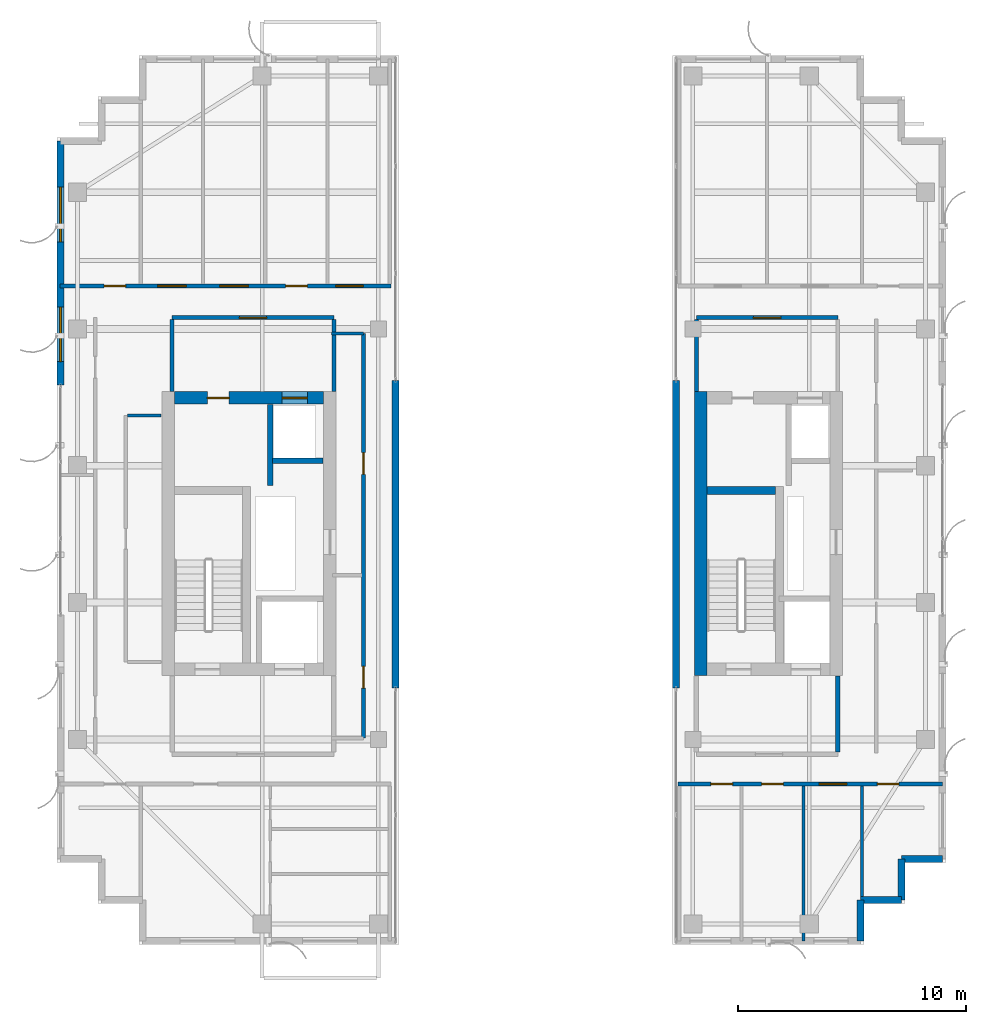
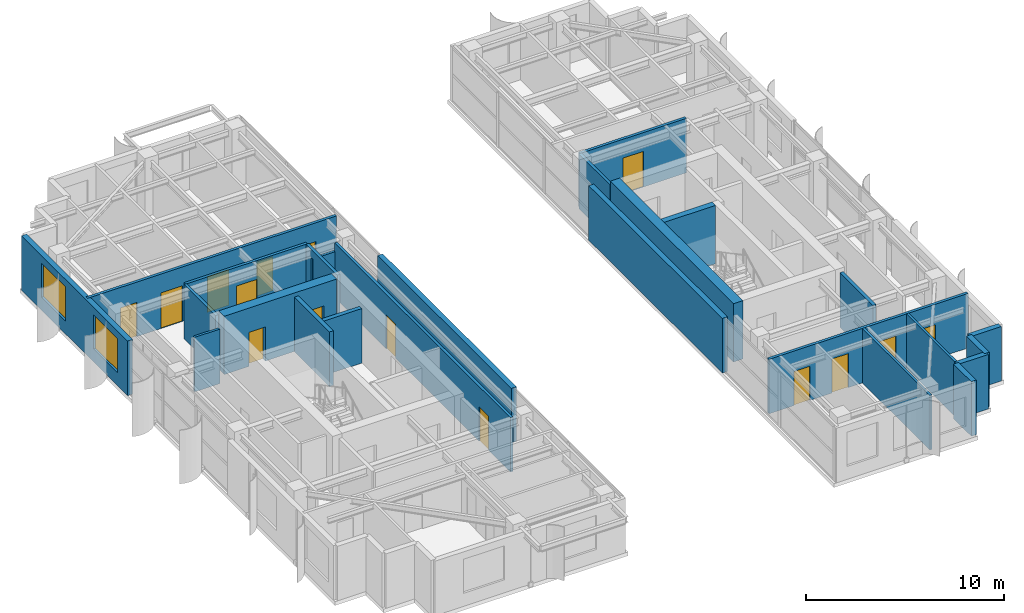
# One storey, part 18 of 22: 25 walls, 15 doors, 2 windows, 17 openings.
"""IFC4 building model written with IfcOpenShell, lengths in metres."""

import ifcopenshell
import ifcopenshell.guid

model = None  # the IFC model being written
_history = None  # IfcOwnerHistory: only IFC2X3 demands one
_inside = {}  # id of a spatial element -> (the spatial element, [elements in it])
_under = {}  # id of a project, library or spatial element -> (it, [spatial elements below it])
_declared = {}  # id of a project -> (the project, [libraries it declares])
_typed = {}  # id of a type object -> (the type object, [elements of that type])
_made_of = {}  # id of a material, layer set ... -> (it, [elements and type objects made of it])


def new_model(schema):
    """Start an empty IFC model of exactly this schema.

    Asked for "IFC4X3", IfcOpenShell would pick the latest addendum, in which some entities
    have other attributes; the version numbers below select the first issue.
    IFC2X3 requires an IfcOwnerHistory on every rooted entity: one is made here for all.
    """
    global model, _history
    if schema == "IFC4X3":
        model = ifcopenshell.file(schema_version=(4, 3, 0, 0))
    else:
        model = ifcopenshell.file(schema=schema)
    _inside.clear()
    _under.clear()
    _declared.clear()
    _typed.clear()
    _made_of.clear()
    _history = None
    if model.schema == "IFC2X3":
        org = make("IfcOrganization", Name="unknown")
        user = make(
            "IfcPersonAndOrganization",
            ThePerson=make("IfcPerson", FamilyName="unknown"),
            TheOrganization=org,
        )
        app = make(
            "IfcApplication",
            ApplicationDeveloper=org,
            Version="unknown",
            ApplicationFullName="unknown",
            ApplicationIdentifier="unknown",
        )
        _history = make(
            "IfcOwnerHistory",
            OwningUser=user,
            OwningApplication=app,
            ChangeAction="ADDED",
            CreationDate=0,
        )
    return model


def make(cls, **values):
    """One entity of the class cls with the attributes given. An attribute that is None is left unset."""
    return model.create_entity(
        cls, **{name: value for name, value in values.items() if value is not None}
    )


def rooted(cls, **values):
    """An entity with a GlobalId (a new one), such as an element, a storey or a relation."""
    return make(cls, GlobalId=ifcopenshell.guid.new(), OwnerHistory=_history, **values)


def si_unit(unit_type, name, prefix=None):
    """IfcSIUnit, for example si_unit("LENGTHUNIT", "METRE", prefix="MILLI")."""
    return make("IfcSIUnit", UnitType=unit_type, Prefix=prefix, Name=name)


def assignment(units):
    """IfcUnitAssignment: the units of a project."""
    return None if units is None else make("IfcUnitAssignment", Units=units)


def point(xyz):
    """IfcCartesianPoint."""
    return None if xyz is None else make("IfcCartesianPoint", Coordinates=xyz)


def direction(xyz):
    """IfcDirection."""
    return None if xyz is None else make("IfcDirection", DirectionRatios=xyz)


def frame(location, z_axis=None, x_axis=None):
    """IfcAxis2Placement3D, a coordinate frame: its origin and axes. An axis left out is left unset."""
    return make(
        "IfcAxis2Placement3D",
        Location=point(location),
        Axis=direction(z_axis),
        RefDirection=direction(x_axis),
    )


def frame_2d(location, x_axis=None):
    """IfcAxis2Placement2D, a coordinate frame in the plane: its origin and x axis."""
    return make(
        "IfcAxis2Placement2D", Location=point(location), RefDirection=direction(x_axis)
    )


def origin():
    """The frame at (0, 0, 0) with its axes left unset."""
    return frame((0.0, 0.0, 0.0))


def place(relative_to, where):
    """IfcLocalPlacement: puts the frame where relative to a parent placement (None: the world)."""
    return make(
        "IfcLocalPlacement", PlacementRelTo=relative_to, RelativePlacement=where
    )


def context(
    kind, dimensions, precision=None, world=None, true_north=None, identifier=None
):
    """IfcGeometricRepresentationContext, for example the 3D "Model" context."""
    return make(
        "IfcGeometricRepresentationContext",
        ContextIdentifier=identifier,
        ContextType=kind,
        CoordinateSpaceDimension=dimensions,
        Precision=precision,
        WorldCoordinateSystem=world,
        TrueNorth=true_north,
    )


def subcontext(parent, identifier, kind, view, scale=None):
    """IfcGeometricRepresentationSubContext, for example "Body" below "Model"."""
    return make(
        "IfcGeometricRepresentationSubContext",
        ContextIdentifier=identifier,
        ContextType=kind,
        ParentContext=parent,
        TargetScale=scale,
        TargetView=view,
    )


def project(units=None, contexts=None):
    """IfcProject with its units and contexts."""
    return rooted(
        "IfcProject",
        Name="project",
        RepresentationContexts=contexts,
        UnitsInContext=assignment(units),
    )


def spatial(cls, under=None, at=None, **own):
    """A site, building, storey or space (cls), placed at a placement, below another one or the project."""
    s = rooted(cls, ObjectPlacement=at, **own)
    if under is not None:
        _under.setdefault(under.id(), (under, []))[1].append(s)
    return s


def profile(cls, at=None, kind="AREA", **sizes):
    """A parametric profile (cls). Its sizes go by their IFC names, for example OverallWidth=200.0."""
    return make(cls, ProfileType=kind, Position=at, **sizes)


def rectangle(**sizes):
    """IfcRectangleProfileDef."""
    return profile("IfcRectangleProfileDef", **sizes)


def extrude(swept, where, along, depth):
    """IfcExtrudedAreaSolid: the profile swept, set in the frame where, extruded along a direction by depth."""
    return make(
        "IfcExtrudedAreaSolid",
        SweptArea=swept,
        Position=where,
        ExtrudedDirection=direction(along),
        Depth=depth,
    )


def shape(context_of_items, identifier, shape_type, items):
    """IfcShapeRepresentation: the items that make up one representation, for example the "Body"."""
    return make(
        "IfcShapeRepresentation",
        ContextOfItems=context_of_items,
        RepresentationIdentifier=identifier,
        RepresentationType=shape_type,
        Items=items,
    )


def source(mapping_origin, context_of_items, identifier, shape_type, items):
    """IfcRepresentationMap: a shape defined once, which mapped items show again and again."""
    return make(
        "IfcRepresentationMap",
        MappingOrigin=mapping_origin,
        MappedRepresentation=shape(context_of_items, identifier, shape_type, items),
    )


def transform(
    local_origin,
    x_axis=None,
    y_axis=None,
    z_axis=None,
    scale=None,
    scale2=None,
    scale3=None,
    uniform=True,
):
    """IfcCartesianTransformationOperator3D, or its non-uniform kind. x_axis, y_axis, z_axis: its Axis1, 2, 3."""
    if uniform:
        return make(
            "IfcCartesianTransformationOperator3D",
            Axis1=direction(x_axis),
            Axis2=direction(y_axis),
            LocalOrigin=point(local_origin),
            Scale=scale,
            Axis3=direction(z_axis),
        )
    return make(
        "IfcCartesianTransformationOperator3DnonUniform",
        Axis1=direction(x_axis),
        Axis2=direction(y_axis),
        LocalOrigin=point(local_origin),
        Scale=scale,
        Axis3=direction(z_axis),
        Scale2=scale2,
        Scale3=scale3,
    )


def mapped(mapping_source, mapping_target):
    """IfcMappedItem: shows the shape of a source again, moved by a transform."""
    return make(
        "IfcMappedItem", MappingSource=mapping_source, MappingTarget=mapping_target
    )


def material(Name=None, Category=None):
    """IfcMaterial."""
    return make("IfcMaterial", Name=Name, Category=Category)


def layer(
    of_material, thickness, ventilated=None, Name=None, Category=None, Priority=None
):
    """IfcMaterialLayer: one layer of a wall or slab, of a material (None: an air gap)."""
    return make(
        "IfcMaterialLayer",
        Material=of_material,
        LayerThickness=thickness,
        IsVentilated=ventilated,
        Name=Name,
        Category=Category,
        Priority=Priority,
    )


def layer_set(layers, Name=None):
    """IfcMaterialLayerSet."""
    return make("IfcMaterialLayerSet", MaterialLayers=layers, LayerSetName=Name)


def made_of(thing, what):
    """Note that an element or type object is made of a material, layer set ...; save() writes the relation."""
    if what is not None:
        _made_of.setdefault(what.id(), (what, []))[1].append(thing)
    return thing


def type_object(cls, material=None, **own):
    """A type object (cls), such as IfcWallType, which elements share."""
    return made_of(rooted(cls, **own), material)


def element(
    cls,
    number,
    at=None,
    inside=None,
    cuts=None,
    type_object=None,
    material=None,
    context=None,
    identifier="Body",
    shape_type=None,
    held_by="IfcProductDefinitionShape",
    body=None,
    shapes=None,
    **own,
):
    """One element of the class cls, such as IfcWall. Its Tag is "e" and its number.

    at: its placement. inside: the storey or other place that contains it. cuts: it is an
    opening in that element (IfcRelVoidsElement). A single representation is given by context,
    identifier, shape_type and body (its items); several are given by shapes. held_by: the class
    of the entity that holds the representations. save() writes the other relations.
    """
    e = rooted(cls, Tag="e%d" % number, ObjectPlacement=at, **own)
    if body is not None:
        shapes = [shape(context, identifier, shape_type, body)]
    if shapes is not None:
        e.Representation = make(held_by, Representations=shapes)
    if inside is not None:
        _inside.setdefault(inside.id(), (inside, []))[1].append(e)
    if cuts is not None:
        rooted(
            "IfcRelVoidsElement", RelatingBuildingElement=cuts, RelatedOpeningElement=e
        )
    if type_object is not None:
        _typed.setdefault(type_object.id(), (type_object, []))[1].append(e)
    return made_of(e, material)


def fill(opening, filler):
    """IfcRelFillsElement: the door or window that sits in an opening."""
    return rooted(
        "IfcRelFillsElement",
        RelatingOpeningElement=opening,
        RelatedBuildingElement=filler,
    )


def aggregate(whole, parts):
    """IfcRelAggregates: a whole, such as a stair, and the parts it consists of."""
    return rooted("IfcRelAggregates", RelatingObject=whole, RelatedObjects=parts)


def save(model, path):
    """Write the relations noted so far, then the file.

    IfcRelAggregates (storeys below a building ...), IfcRelContainedInSpatialStructure (elements
    in a storey), IfcRelDefinesByType, IfcRelAssociatesMaterial and IfcRelDeclares: one each for
    every whole, place, type object, material and project.
    """
    for whole, parts in _under.values():
        aggregate(whole, parts)
    for where, things in _inside.values():
        rooted(
            "IfcRelContainedInSpatialStructure",
            RelatedElements=things,
            RelatingStructure=where,
        )
    for kind, things in _typed.values():
        rooted("IfcRelDefinesByType", RelatedObjects=things, RelatingType=kind)
    for what, things in _made_of.values():
        rooted("IfcRelAssociatesMaterial", RelatedObjects=things, RelatingMaterial=what)
    for by, libraries in _declared.values():
        rooted("IfcRelDeclares", RelatingContext=by, RelatedDefinitions=libraries)
    model.write(path)


model = new_model("IFC4")

# Units and contexts
model_context = context("Model", 3, precision=1e-05, world=origin(), true_north=direction((0.0, 1.0)))
body_context = subcontext(model_context, "Body", "Model", "MODEL_VIEW")
ifc_project = project(units=[si_unit("LENGTHUNIT", "METRE"), si_unit("AREAUNIT", "SQUARE_METRE"), si_unit("VOLUMEUNIT", "CUBIC_METRE"), si_unit("PLANEANGLEUNIT", "RADIAN"), si_unit("MASSUNIT", "GRAM", prefix="KILO")], contexts=[model_context])

# Site, building, storey
site_placement = place(None, origin())
site = spatial("IfcSite", under=ifc_project, at=site_placement, CompositionType="ELEMENT")
building_placement = place(site_placement, origin())
building = spatial("IfcBuilding", under=site, at=building_placement, Name="Khoralis Quay Care Tower", CompositionType="ELEMENT")
storey_placement = place(building_placement, frame((0.0, 0.0, 242.10009765625)))
storey = spatial("IfcBuildingStorey", under=building, at=storey_placement, Name="L63", CompositionType="ELEMENT", Elevation=242.10009765625)

# Wall
ifc_material_1 = material(Name="Gypsum plasterboard on acoustic metal stud")
ifc_layer_1 = layer(ifc_material_1, 0.199951171875)
ifc_layer_set_1 = layer_set([ifc_layer_1], Name="Gypsum plasterboard on acoustic metal stud")
wall_type_1 = type_object("IfcWallType", Name="WL-COMP-200", PredefinedType="PARTITIONING", material=ifc_layer_set_1)
wall_1_placement = place(storey_placement, frame((37.25, 11.445068359375, 0.0), z_axis=(0.0, 0.0, 1.0), x_axis=(0.0, 1.0, 0.0)))
element("IfcWall", 1, at=wall_1_placement, inside=storey, type_object=wall_type_1, Name="L63 East Firefighting Lobby East Wall", PredefinedType="PARTITIONING", context=body_context, shape_type="SweptSolid", body=[
    extrude(rectangle(XDim=3.3349609375, YDim=0.199951171875, at=frame_2d((1.66748046875, 0.0))), origin(), (0.0, 0.0, 1.0), 3.35986328125),
])

# Wall, openings, doors
ifc_material_2 = material(Name="Concrete C65/80", Category="concrete")
ifc_layer_2 = layer(ifc_material_2, 0.550048828125)
ifc_layer_set_2 = layer_set([ifc_layer_2], Name="Concrete C65/80")
wall_type_2 = type_object("IfcWallType", Name="WL-CORE-550", PredefinedType="SHEAR", material=ifc_layer_set_2)
wall_2_placement = place(storey_placement, frame((8.14990234375, 26.97509765625, 0.0), z_axis=(0.0, 0.0, 1.0), x_axis=(1.0, 0.0, 0.0)))
wall_2 = element("IfcWall", 2, at=wall_2_placement, inside=storey, type_object=wall_type_2, Name="L63 WCORE North Shear Wall", PredefinedType="SHEAR", context=body_context, shape_type="SweptSolid", body=[
    extrude(rectangle(XDim=6.550048828125, YDim=0.550048828125, at=frame_2d((3.27490234375, 0.0))), origin(), (0.0, 0.0, 1.0), 3.599853515625),
])
opening_1_placement = place(wall_2_placement, frame((1.449951171875, 0.0, 0.0)))
opening_1 = element("IfcOpeningElement", 3, at=opening_1_placement, cuts=wall_2, Name="Opening ID1", PredefinedType="OPENING", context=body_context, shape_type="SweptSolid", body=[
    extrude(rectangle(XDim=0.949951171875, YDim=2.10009765625, at=frame_2d((0.47509765625, 1.050048828125))), frame((0.0, 0.28515625, 0.0), z_axis=(0.0, -1.0, 0.0), x_axis=(1.0, 0.0, 0.0)), (0.0, 0.0, 1.0), 0.570068359375),
])
opening_2_placement = place(wall_2_placement, frame((4.72998046875, 0.0, 0.0)))
opening_2 = element("IfcOpeningElement", 4, at=opening_2_placement, cuts=wall_2, Name="Opening LD1", PredefinedType="OPENING", context=body_context, shape_type="SweptSolid", body=[
    extrude(rectangle(XDim=1.10009765625, YDim=2.199951171875, at=frame_2d((0.550048828125, 1.10009765625))), frame((0.0, 0.28515625, 0.0), z_axis=(0.0, -1.0, 0.0), x_axis=(1.0, 0.0, 0.0)), (0.0, 0.0, 1.0), 0.570068359375),
])
ifc_material_3 = material(Name="Brushed stainless steel", Category="steel")
door_type_1 = type_object("IfcDoorType", Name="DR-LIFT-1100X2200", OperationType="SLIDING_TO_LEFT", PredefinedType="DOOR", material=ifc_material_3)
shared_shape_1 = source(origin(), body_context, "Body", "SweptSolid", [
    extrude(rectangle(XDim=1.10009765625, YDim=2.199951171875, at=frame_2d((0.550048828125, 1.10009765625))), frame((0.0, 0.02490234375, 0.0), z_axis=(0.0, -1.0, 0.0), x_axis=(1.0, 0.0, 0.0)), (0.0, 0.0, 1.0), 0.050048828125),
])
door_1_placement = place(opening_2_placement, origin())
door_1 = element("IfcDoor", 5, at=door_1_placement, inside=storey, type_object=door_type_1, Name="L63 Lift PLH1 Landing Door", OperationType="SLIDING_TO_LEFT", OverallHeight=2.199951171875, OverallWidth=1.10009765625, PredefinedType="DOOR", context=body_context, shape_type="MappedRepresentation", body=[
    mapped(shared_shape_1, transform((0.0, 0.0, 0.0), scale=1.0)),
])
fill(opening_2, door_1)
ifc_material_4 = material(Name="Acoustic hardwood timber", Category="wood")
door_type_2 = type_object("IfcDoorType", Name="DR-ROOM-950X2100", OperationType="NOTDEFINED", PredefinedType="DOOR", material=ifc_material_4)
shared_shape_2 = source(origin(), body_context, "Body", "SweptSolid", [
    extrude(rectangle(XDim=0.949951171875, YDim=2.10009765625, at=frame_2d((0.47509765625, 1.050048828125))), frame((0.0, 0.02490234375, 0.0), z_axis=(0.0, -1.0, 0.0), x_axis=(1.0, 0.0, 0.0)), (0.0, 0.0, 1.0), 0.050048828125),
])
door_2_placement = place(opening_1_placement, frame((0.949951171875, 0.0, 0.0), z_axis=(0.0, 0.0, 1.0), x_axis=(-1.0, 0.0, 0.0)))
door_2 = element("IfcDoor", 6, at=door_2_placement, inside=storey, type_object=door_type_2, Name="L63 Telemetry Room Door", OperationType="SINGLE_SWING_LEFT", OverallHeight=2.10009765625, OverallWidth=0.949951171875, PredefinedType="DOOR", context=body_context, shape_type="MappedRepresentation", body=[
    mapped(shared_shape_2, transform((0.0, 0.0, 0.0), scale=1.0)),
])
fill(opening_1, door_2)

# Wall
wall_3_placement = place(storey_placement, frame((31.2451171875, 14.800048828125, 0.0), z_axis=(0.0, 0.0, 1.0), x_axis=(0.0, 1.0, 0.0)))
element("IfcWall", 7, at=wall_3_placement, inside=storey, type_object=wall_type_2, Name="L63 ECORE West Shear Wall", PredefinedType="SHEAR", context=body_context, shape_type="SweptSolid", body=[
    extrude(rectangle(XDim=12.449951171875, YDim=0.550048828125, at=frame_2d((6.22509765625, 0.0))), origin(), (0.0, 0.0, 1.0), 3.599853515625),
])

# Wall, opening, door
ifc_layer_3 = layer(ifc_material_1, 0.1650390625)
ifc_layer_set_3 = layer_set([ifc_layer_3], Name="Gypsum plasterboard on acoustic metal stud")
wall_type_3 = type_object("IfcWallType", Name="WL-CORR-165", PredefinedType="PARTITIONING", material=ifc_layer_set_3)
wall_4_placement = place(storey_placement, frame((8.050048828125, 30.5, 0.0), z_axis=(0.0, 0.0, 1.0), x_axis=(1.0, 0.0, 0.0)))
wall_4 = element("IfcWall", 8, at=wall_4_placement, inside=storey, type_object=wall_type_3, Name="L63 West Lift Lobby North Wall", PredefinedType="PARTITIONING", context=body_context, shape_type="SweptSolid", body=[
    extrude(rectangle(XDim=7.099853515625, YDim=0.1650390625, at=frame_2d((3.5498046875, 0.0))), origin(), (0.0, 0.0, 1.0), 3.35986328125),
])
opening_3_placement = place(wall_4_placement, frame((2.949951171875, 0.0, 0.0)))
opening_3 = element("IfcOpeningElement", 9, at=opening_3_placement, cuts=wall_4, Name="Opening FD1", PredefinedType="OPENING", context=body_context, shape_type="SweptSolid", body=[
    extrude(rectangle(XDim=1.199951171875, YDim=2.199951171875, at=frame_2d((0.60009765625, 1.10009765625))), frame((0.0, 0.092529296875, 0.0), z_axis=(0.0, -1.0, 0.0), x_axis=(1.0, 0.0, 0.0)), (0.0, 0.0, 1.0), 0.18505859375),
])
ifc_material_5 = material(Name="Fire-rated painted steel", Category="steel")
door_type_3 = type_object("IfcDoorType", Name="DR-FFL-1200X2200", OperationType="NOTDEFINED", PredefinedType="DOOR", material=ifc_material_5)
shared_shape_3 = source(origin(), body_context, "Body", "SweptSolid", [
    extrude(rectangle(XDim=1.199951171875, YDim=2.199951171875, at=frame_2d((0.60009765625, 1.10009765625))), frame((0.0, 0.02490234375, 0.0), z_axis=(0.0, -1.0, 0.0), x_axis=(1.0, 0.0, 0.0)), (0.0, 0.0, 1.0), 0.050048828125),
])
door_3_placement = place(opening_3_placement, origin())
door_3 = element("IfcDoor", 10, at=door_3_placement, inside=storey, type_object=door_type_3, Name="L63 West Lift Lobby Double Door", OperationType="DOUBLE_DOOR_SINGLE_SWING", OverallHeight=2.199951171875, OverallWidth=1.199951171875, PredefinedType="DOOR", context=body_context, shape_type="MappedRepresentation", body=[
    mapped(shared_shape_3, transform((0.0, 0.0, 0.0), scale=1.0)),
])
fill(opening_3, door_3)

# Walls
for number, where, z_axis, x_axis, name in (
    (11, (8.050048828125, 27.27001953125, 0.0), (0.0, 0.0, 1.0), (0.0, 1.0, 0.0), "L63 West Lift Lobby West Wall"),
    (12, (15.14990234375, 27.27001953125, 0.0), (0.0, 0.0, 1.0), (0.0, 1.0, 0.0), "L63 West Lift Lobby East Wall"),
):
    element("IfcWall", number, at=place(storey_placement, frame(where, z_axis=z_axis, x_axis=x_axis)), inside=storey, type_object=wall_type_3, Name=name, PredefinedType="PARTITIONING", context=body_context, shape_type="SweptSolid", body=[
        extrude(rectangle(XDim=3.152587890625, YDim=0.1650390625, at=frame_2d((1.576171875, 0.0))), origin(), (0.0, 0.0, 1.0), 3.35986328125),
    ])

# Wall, opening, door
wall_5_placement = place(storey_placement, frame((31.050048828125, 30.5, 0.0), z_axis=(0.0, 0.0, 1.0), x_axis=(1.0, 0.0, 0.0)))
wall_5 = element("IfcWall", 13, at=wall_5_placement, inside=storey, type_object=wall_type_3, Name="L63 East Lift Lobby North Wall", PredefinedType="PARTITIONING", context=body_context, shape_type="SweptSolid", body=[
    extrude(rectangle(XDim=6.199951171875, YDim=0.1650390625, at=frame_2d((3.10009765625, 0.0))), origin(), (0.0, 0.0, 1.0), 3.35986328125),
])
opening_4_placement = place(wall_5_placement, frame((2.5, 0.0, 0.0)))
opening_4 = element("IfcOpeningElement", 14, at=opening_4_placement, cuts=wall_5, Name="Opening FD1", PredefinedType="OPENING", context=body_context, shape_type="SweptSolid", body=[
    extrude(rectangle(XDim=1.199951171875, YDim=2.199951171875, at=frame_2d((0.60009765625, 1.10009765625))), frame((0.0, 0.092529296875, 0.0), z_axis=(0.0, -1.0, 0.0), x_axis=(1.0, 0.0, 0.0)), (0.0, 0.0, 1.0), 0.18505859375),
])
door_4_placement = place(opening_4_placement, origin())
door_4 = element("IfcDoor", 15, at=door_4_placement, inside=storey, type_object=door_type_3, Name="L63 East Lift Lobby Double Door", OperationType="DOUBLE_DOOR_SINGLE_SWING", OverallHeight=2.199951171875, OverallWidth=1.199951171875, PredefinedType="DOOR", context=body_context, shape_type="MappedRepresentation", body=[
    mapped(shared_shape_3, transform((0.0, 0.0, 0.0), scale=1.0)),
])
fill(opening_4, door_4)

# Wall
wall_6_placement = place(storey_placement, frame((31.050048828125, 27.27001953125, 0.0), z_axis=(0.0, 0.0, 1.0), x_axis=(0.0, 1.0, 0.0)))
element("IfcWall", 16, at=wall_6_placement, inside=storey, type_object=wall_type_3, Name="L63 East Lift Lobby West Wall", PredefinedType="PARTITIONING", context=body_context, shape_type="SweptSolid", body=[
    extrude(rectangle(XDim=3.152587890625, YDim=0.1650390625, at=frame_2d((1.576171875, 0.0))), origin(), (0.0, 0.0, 1.0), 3.35986328125),
])

# Wall, openings, doors
wall_7_placement = place(storey_placement, frame((3.14501953125, 31.889892578125, 0.0), z_axis=(0.0, 0.0, 1.0), x_axis=(1.0, 0.0, 0.0)))
wall_7 = element("IfcWall", 17, at=wall_7_placement, inside=storey, type_object=wall_type_3, Name="L63 West Wing North Corridor Wall", PredefinedType="PARTITIONING", context=body_context, shape_type="SweptSolid", body=[
    extrude(rectangle(XDim=14.5048828125, YDim=0.1650390625, at=frame_2d((7.25244140625, 0.0))), origin(), (0.0, 0.0, 1.0), 3.35986328125),
])
opening_5_placement = place(wall_7_placement, frame((4.27490234375, 0.0, 0.0)))
opening_5 = element("IfcOpeningElement", 18, at=opening_5_placement, cuts=wall_7, Name="Opening CD1", PredefinedType="OPENING", context=body_context, shape_type="SweptSolid", body=[
    extrude(rectangle(XDim=1.25, YDim=2.199951171875, at=frame_2d((0.625, 1.10009765625))), frame((0.0, 0.092529296875, 0.0), z_axis=(0.0, -1.0, 0.0), x_axis=(1.0, 0.0, 0.0)), (0.0, 0.0, 1.0), 0.18505859375),
])
opening_6_placement = place(wall_7_placement, frame((7.0048828125, 0.0, 0.0)))
opening_6 = element("IfcOpeningElement", 19, at=opening_6_placement, cuts=wall_7, Name="Opening CD1", PredefinedType="OPENING", context=body_context, shape_type="SweptSolid", body=[
    extrude(rectangle(XDim=1.25, YDim=2.199951171875, at=frame_2d((0.625, 1.10009765625))), frame((0.0, 0.092529296875, 0.0), z_axis=(0.0, -1.0, 0.0), x_axis=(1.0, 0.0, 0.0)), (0.0, 0.0, 1.0), 0.18505859375),
])
opening_7_placement = place(wall_7_placement, frame((9.885009765625, 0.0, 0.0)))
opening_7 = element("IfcOpeningElement", 20, at=opening_7_placement, cuts=wall_7, Name="Opening ID1", PredefinedType="OPENING", context=body_context, shape_type="SweptSolid", body=[
    extrude(rectangle(XDim=0.949951171875, YDim=2.10009765625, at=frame_2d((0.47509765625, 1.050048828125))), frame((0.0, 0.092529296875, 0.0), z_axis=(0.0, -1.0, 0.0), x_axis=(1.0, 0.0, 0.0)), (0.0, 0.0, 1.0), 0.18505859375),
])
opening_8_placement = place(wall_7_placement, frame((12.090087890625, 0.0, 0.0)))
opening_8 = element("IfcOpeningElement", 21, at=opening_8_placement, cuts=wall_7, Name="Opening FD1", PredefinedType="OPENING", context=body_context, shape_type="SweptSolid", body=[
    extrude(rectangle(XDim=1.199951171875, YDim=2.199951171875, at=frame_2d((0.60009765625, 1.10009765625))), frame((0.0, 0.092529296875, 0.0), z_axis=(0.0, -1.0, 0.0), x_axis=(1.0, 0.0, 0.0)), (0.0, 0.0, 1.0), 0.18505859375),
])
opening_9_placement = place(wall_7_placement, frame((1.919921875, 0.0, 0.0)))
opening_9 = element("IfcOpeningElement", 22, at=opening_9_placement, cuts=wall_7, Name="Opening ID1", PredefinedType="OPENING", context=body_context, shape_type="SweptSolid", body=[
    extrude(rectangle(XDim=0.949951171875, YDim=2.10009765625, at=frame_2d((0.47509765625, 1.050048828125))), frame((0.0, 0.092529296875, 0.0), z_axis=(0.0, -1.0, 0.0), x_axis=(1.0, 0.0, 0.0)), (0.0, 0.0, 1.0), 0.18505859375),
])
door_5_placement = place(opening_8_placement, origin())
door_5 = element("IfcDoor", 23, at=door_5_placement, inside=storey, type_object=door_type_3, Name="L63 Resident Communal Day Lounge Door", OperationType="DOUBLE_DOOR_SINGLE_SWING", OverallHeight=2.199951171875, OverallWidth=1.199951171875, PredefinedType="DOOR", context=body_context, shape_type="MappedRepresentation", body=[
    mapped(shared_shape_3, transform((0.0, 0.0, 0.0), scale=1.0)),
])
fill(opening_8, door_5)
door_type_4 = type_object("IfcDoorType", Name="DR-CARE-1250X2200", OperationType="NOTDEFINED", PredefinedType="DOOR", material=ifc_material_4)
shared_shape_4 = source(origin(), body_context, "Body", "SweptSolid", [
    extrude(rectangle(XDim=1.25, YDim=2.199951171875, at=frame_2d((0.625, 1.10009765625))), frame((0.0, 0.02490234375, 0.0), z_axis=(0.0, -1.0, 0.0), x_axis=(1.0, 0.0, 0.0)), (0.0, 0.0, 1.0), 0.050048828125),
])
door_6_placement = place(opening_5_placement, origin())
door_6 = element("IfcDoor", 24, at=door_6_placement, inside=storey, type_object=door_type_4, Name="L63 Geriatric Consultation Clinic Door", OperationType="SINGLE_SWING_RIGHT", OverallHeight=2.199951171875, OverallWidth=1.25, PredefinedType="DOOR", context=body_context, shape_type="MappedRepresentation", body=[
    mapped(shared_shape_4, transform((0.0, 0.0, 0.0), scale=1.0)),
])
fill(opening_5, door_6)
door_7_placement = place(opening_6_placement, origin())
door_7 = element("IfcDoor", 25, at=door_7_placement, inside=storey, type_object=door_type_4, Name="L63 Physiotherapy Treatment Clinic Door", OperationType="SINGLE_SWING_LEFT", OverallHeight=2.199951171875, OverallWidth=1.25, PredefinedType="DOOR", context=body_context, shape_type="MappedRepresentation", body=[
    mapped(shared_shape_4, transform((0.0, 0.0, 0.0), scale=1.0)),
])
fill(opening_6, door_7)
door_8_placement = place(opening_7_placement, origin())
door_8 = element("IfcDoor", 26, at=door_8_placement, inside=storey, type_object=door_type_2, Name="L63 Care Coordination Office Door", OperationType="SINGLE_SWING_LEFT", OverallHeight=2.10009765625, OverallWidth=0.949951171875, PredefinedType="DOOR", context=body_context, shape_type="MappedRepresentation", body=[
    mapped(shared_shape_2, transform((0.0, 0.0, 0.0), scale=1.0)),
])
fill(opening_7, door_8)
door_9_placement = place(opening_9_placement, origin())
door_9 = element("IfcDoor", 27, at=door_9_placement, inside=storey, type_object=door_type_2, Name="L63 NW Corner Door", OperationType="SINGLE_SWING_RIGHT", OverallHeight=2.10009765625, OverallWidth=0.949951171875, PredefinedType="DOOR", context=body_context, shape_type="MappedRepresentation", body=[
    mapped(shared_shape_2, transform((0.0, 0.0, 0.0), scale=1.0)),
])
fill(opening_9, door_9)

wall_8_placement = place(storey_placement, frame((16.449951171875, 12.050048828125, 0.0), z_axis=(0.0, 0.0, 1.0), x_axis=(0.0, 1.0, 0.0)))
wall_8 = element("IfcWall", 28, at=wall_8_placement, inside=storey, type_object=wall_type_3, Name="L63 Portal Gallery Wall", PredefinedType="PARTITIONING", context=body_context, shape_type="SweptSolid", body=[
    extrude(rectangle(XDim=17.75, YDim=0.1650390625, at=frame_2d((8.875, 0.0))), origin(), (0.0, 0.0, 1.0), 3.35986328125),
])
opening_10_placement = place(wall_8_placement, frame((2.199951171875, 0.0, 0.0)))
opening_10 = element("IfcOpeningElement", 29, at=opening_10_placement, cuts=wall_8, Name="Opening ID1", PredefinedType="OPENING", context=body_context, shape_type="SweptSolid", body=[
    extrude(rectangle(XDim=0.949951171875, YDim=2.10009765625, at=frame_2d((0.47509765625, 1.050048828125))), frame((0.0, 0.092529296875, 0.0), z_axis=(0.0, -1.0, 0.0), x_axis=(1.0, 0.0, 0.0)), (0.0, 0.0, 1.0), 0.18505859375),
])
opening_11_placement = place(wall_8_placement, frame((11.574951171875, 0.0, 0.0)))
opening_11 = element("IfcOpeningElement", 30, at=opening_11_placement, cuts=wall_8, Name="Opening ID1", PredefinedType="OPENING", context=body_context, shape_type="SweptSolid", body=[
    extrude(rectangle(XDim=0.949951171875, YDim=2.10009765625, at=frame_2d((0.47509765625, 1.050048828125))), frame((0.0, 0.092529296875, 0.0), z_axis=(0.0, -1.0, 0.0), x_axis=(1.0, 0.0, 0.0)), (0.0, 0.0, 1.0), 0.18505859375),
])
door_10_placement = place(opening_10_placement, frame((0.949951171875, 0.0, 0.0), z_axis=(0.0, 0.0, 1.0), x_axis=(-1.0, 0.0, 0.0)))
door_10 = element("IfcDoor", 31, at=door_10_placement, inside=storey, type_object=door_type_2, Name="L63 Portal Lounge Door", OperationType="SINGLE_SWING_LEFT", OverallHeight=2.10009765625, OverallWidth=0.949951171875, PredefinedType="DOOR", context=body_context, shape_type="MappedRepresentation", body=[
    mapped(shared_shape_2, transform((0.0, 0.0, 0.0), scale=1.0)),
])
fill(opening_10, door_10)
door_11_placement = place(opening_11_placement, frame((0.949951171875, 0.0, 0.0), z_axis=(0.0, 0.0, 1.0), x_axis=(-1.0, 0.0, 0.0)))
door_11 = element("IfcDoor", 32, at=door_11_placement, inside=storey, type_object=door_type_2, Name="L63 Portal Office Door", OperationType="SINGLE_SWING_RIGHT", OverallHeight=2.10009765625, OverallWidth=0.949951171875, PredefinedType="DOOR", context=body_context, shape_type="MappedRepresentation", body=[
    mapped(shared_shape_2, transform((0.0, 0.0, 0.0), scale=1.0)),
])
fill(opening_11, door_11)

wall_9_placement = place(storey_placement, frame((30.25, 10.0400390625, 0.0), z_axis=(0.0, 0.0, 1.0), x_axis=(1.0, 0.0, 0.0)))
wall_9 = element("IfcWall", 33, at=wall_9_placement, inside=storey, type_object=wall_type_3, Name="L63 East Wing South Corridor Wall", PredefinedType="PARTITIONING", context=body_context, shape_type="SweptSolid", body=[
    extrude(rectangle(XDim=11.60498046875, YDim=0.1650390625, at=frame_2d((5.802490234375, 0.0))), origin(), (0.0, 0.0, 1.0), 3.35986328125),
])
opening_12_placement = place(wall_9_placement, frame((1.43994140625, 0.0, 0.0)))
opening_12 = element("IfcOpeningElement", 34, at=opening_12_placement, cuts=wall_9, Name="Opening ID1", PredefinedType="OPENING", context=body_context, shape_type="SweptSolid", body=[
    extrude(rectangle(XDim=0.949951171875, YDim=2.10009765625, at=frame_2d((0.47509765625, 1.050048828125))), frame((0.0, 0.092529296875, 0.0), z_axis=(0.0, -1.0, 0.0), x_axis=(1.0, 0.0, 0.0)), (0.0, 0.0, 1.0), 0.18505859375),
])
opening_13_placement = place(wall_9_placement, frame((3.6650390625, 0.0, 0.0)))
opening_13 = element("IfcOpeningElement", 35, at=opening_13_placement, cuts=wall_9, Name="Opening ID1", PredefinedType="OPENING", context=body_context, shape_type="SweptSolid", body=[
    extrude(rectangle(XDim=0.949951171875, YDim=2.10009765625, at=frame_2d((0.47509765625, 1.050048828125))), frame((0.0, 0.092529296875, 0.0), z_axis=(0.0, -1.0, 0.0), x_axis=(1.0, 0.0, 0.0)), (0.0, 0.0, 1.0), 0.18505859375),
])
opening_14_placement = place(wall_9_placement, frame((6.18505859375, 0.0, 0.0)))
opening_14 = element("IfcOpeningElement", 36, at=opening_14_placement, cuts=wall_9, Name="Opening FD1", PredefinedType="OPENING", context=body_context, shape_type="SweptSolid", body=[
    extrude(rectangle(XDim=1.199951171875, YDim=2.199951171875, at=frame_2d((0.60009765625, 1.10009765625))), frame((0.0, 0.092529296875, 0.0), z_axis=(0.0, -1.0, 0.0), x_axis=(1.0, 0.0, 0.0)), (0.0, 0.0, 1.0), 0.18505859375),
])
opening_15_placement = place(wall_9_placement, frame((8.735107421875, 0.0, 0.0)))
opening_15 = element("IfcOpeningElement", 37, at=opening_15_placement, cuts=wall_9, Name="Opening ID1", PredefinedType="OPENING", context=body_context, shape_type="SweptSolid", body=[
    extrude(rectangle(XDim=0.949951171875, YDim=2.10009765625, at=frame_2d((0.47509765625, 1.050048828125))), frame((0.0, 0.092529296875, 0.0), z_axis=(0.0, -1.0, 0.0), x_axis=(1.0, 0.0, 0.0)), (0.0, 0.0, 1.0), 0.18505859375),
])
door_12_placement = place(opening_14_placement, frame((1.199951171875, 0.0, 0.0), z_axis=(0.0, 0.0, 1.0), x_axis=(-1.0, 0.0, 0.0)))
door_12 = element("IfcDoor", 38, at=door_12_placement, inside=storey, type_object=door_type_3, Name="L63 Senior Wellness Pharmacy Shop Door", OperationType="DOUBLE_DOOR_SINGLE_SWING", OverallHeight=2.199951171875, OverallWidth=1.199951171875, PredefinedType="DOOR", context=body_context, shape_type="MappedRepresentation", body=[
    mapped(shared_shape_3, transform((0.0, 0.0, 0.0), scale=1.0)),
])
fill(opening_14, door_12)
door_13_placement = place(opening_12_placement, frame((0.949951171875, 0.0, 0.0), z_axis=(0.0, 0.0, 1.0), x_axis=(-1.0, 0.0, 0.0)))
door_13 = element("IfcDoor", 39, at=door_13_placement, inside=storey, type_object=door_type_2, Name="L63 Care Coordination Office Door", OperationType="SINGLE_SWING_LEFT", OverallHeight=2.10009765625, OverallWidth=0.949951171875, PredefinedType="DOOR", context=body_context, shape_type="MappedRepresentation", body=[
    mapped(shared_shape_2, transform((0.0, 0.0, 0.0), scale=1.0)),
])
fill(opening_12, door_13)
door_14_placement = place(opening_13_placement, frame((0.949951171875, 0.0, 0.0), z_axis=(0.0, 0.0, 1.0), x_axis=(-1.0, 0.0, 0.0)))
door_14 = element("IfcDoor", 40, at=door_14_placement, inside=storey, type_object=door_type_2, Name="L63 Family Case Conference Room Door", OperationType="SINGLE_SWING_RIGHT", OverallHeight=2.10009765625, OverallWidth=0.949951171875, PredefinedType="DOOR", context=body_context, shape_type="MappedRepresentation", body=[
    mapped(shared_shape_2, transform((0.0, 0.0, 0.0), scale=1.0)),
])
fill(opening_13, door_14)
door_15_placement = place(opening_15_placement, frame((0.949951171875, 0.0, 0.0), z_axis=(0.0, 0.0, 1.0), x_axis=(-1.0, 0.0, 0.0)))
door_15 = element("IfcDoor", 41, at=door_15_placement, inside=storey, type_object=door_type_2, Name="L63 SE Corner Door", OperationType="SINGLE_SWING_RIGHT", OverallHeight=2.10009765625, OverallWidth=0.949951171875, PredefinedType="DOOR", context=body_context, shape_type="MappedRepresentation", body=[
    mapped(shared_shape_2, transform((0.0, 0.0, 0.0), scale=1.0)),
])
fill(opening_15, door_15)

# Wall
ifc_material_6 = material(Name="Precast concrete C45/55", Category="concrete")
ifc_layer_4 = layer(ifc_material_6, 0.300048828125)
ifc_layer_set_4 = layer_set([ifc_layer_4], Name="Precast concrete C45/55")
wall_type_4 = type_object("IfcWallType", Name="WL-EXT-REF-300", PredefinedType="SOLIDWALL", material=ifc_layer_set_4)
wall_10_placement = place(storey_placement, frame((17.85009765625, 14.25, 0.0), z_axis=(0.0, 0.0, 1.0), x_axis=(0.0, 1.0, 0.0)))
element("IfcWall", 42, at=wall_10_placement, inside=storey, type_object=wall_type_4, Name="L63 External Facade Wall WL-VP-L63-P1-M", PredefinedType="SOLIDWALL", context=body_context, shape_type="SweptSolid", body=[
    extrude(rectangle(XDim=13.5, YDim=0.300048828125, at=frame_2d((6.75, 0.0))), origin(), (0.0, 0.0, 1.0), 3.35986328125),
])

# Wall, openings, windows
wall_11_placement = place(storey_placement, frame((3.14990234375, 38.25, 0.0), z_axis=(0.0, 0.0, 1.0), x_axis=(0.0, -1.0, 0.0)))
wall_11 = element("IfcWall", 43, at=wall_11_placement, inside=storey, type_object=wall_type_4, Name="L63 External Facade Wall WL-EXT-L63-P1-E7A", PredefinedType="SOLIDWALL", context=body_context, shape_type="SweptSolid", body=[
    extrude(rectangle(XDim=10.7099609375, YDim=0.300048828125, at=frame_2d((5.35498046875, 0.0))), origin(), (0.0, 0.0, 1.0), 3.35986328125),
])
opening_16_placement = place(wall_11_placement, frame((2.030029296875, 0.0, 0.800048828125)))
opening_16 = element("IfcOpeningElement", 44, at=opening_16_placement, cuts=wall_11, Name="Opening W1", PredefinedType="OPENING", context=body_context, shape_type="SweptSolid", body=[
    extrude(rectangle(XDim=2.39990234375, YDim=2.10009765625, at=frame_2d((1.199951171875, 1.050048828125))), frame((0.0, 0.16015625, 0.0), z_axis=(0.0, -1.0, 0.0), x_axis=(1.0, 0.0, 0.0)), (0.0, 0.0, 1.0), 0.320068359375),
])
opening_17_placement = place(wall_11_placement, frame((7.284912109375, 0.0, 0.800048828125)))
opening_17 = element("IfcOpeningElement", 45, at=opening_17_placement, cuts=wall_11, Name="Opening W1", PredefinedType="OPENING", context=body_context, shape_type="SweptSolid", body=[
    extrude(rectangle(XDim=2.39990234375, YDim=2.10009765625, at=frame_2d((1.199951171875, 1.050048828125))), frame((0.0, 0.16015625, 0.0), z_axis=(0.0, -1.0, 0.0), x_axis=(1.0, 0.0, 0.0)), (0.0, 0.0, 1.0), 0.320068359375),
])
ifc_material_7 = material(Name="Low-E solar-control double glazing", Category="glass")
window_type = type_object("IfcWindowType", Name="WN-POD-2400X2100", PartitioningType="SINGLE_PANEL", PredefinedType="WINDOW", material=ifc_material_7)
shared_shape_5 = source(origin(), body_context, "Body", "SweptSolid", [
    extrude(rectangle(XDim=2.39990234375, YDim=2.10009765625, at=frame_2d((1.199951171875, 1.050048828125))), frame((0.0, 0.030029296875, 0.0), z_axis=(0.0, -1.0, 0.0), x_axis=(1.0, 0.0, 0.0)), (0.0, 0.0, 1.0), 0.06005859375),
])
window_1_placement = place(opening_16_placement, origin())
window_1 = element("IfcWindow", 46, at=window_1_placement, inside=storey, type_object=window_type, Name="WN-L63-P1-E7A Facade Window 01", OverallHeight=2.10009765625, OverallWidth=2.39990234375, PartitioningType="SINGLE_PANEL", PredefinedType="WINDOW", context=body_context, shape_type="MappedRepresentation", body=[
    mapped(shared_shape_5, transform((0.0, 0.0, 0.0), scale=1.0)),
])
fill(opening_16, window_1)
window_2_placement = place(opening_17_placement, origin())
window_2 = element("IfcWindow", 47, at=window_2_placement, inside=storey, type_object=window_type, Name="WN-L63-P1-E7A Facade Window 02", OverallHeight=2.10009765625, OverallWidth=2.39990234375, PartitioningType="SINGLE_PANEL", PredefinedType="WINDOW", context=body_context, shape_type="MappedRepresentation", body=[
    mapped(shared_shape_5, transform((0.0, 0.0, 0.0), scale=1.0)),
])
fill(opening_17, window_2)

# Walls
for number, where, z_axis, x_axis, name in (
    (48, (38.25, 3.14990234375, 0.0), (0.0, 0.0, 1.0), (0.0, 1.0, 0.0), "L63 External Facade Wall WL-EXT-L63-P2-C1"),
    (49, (38.25, 4.949951171875, 0.0), (0.0, 0.0, 1.0), (1.0, 0.0, 0.0), "L63 External Facade Wall WL-EXT-L63-P2-C2"),
    (50, (40.050048828125, 4.949951171875, 0.0), (0.0, 0.0, 1.0), (0.0, 1.0, 0.0), "L63 External Facade Wall WL-EXT-L63-P2-C3"),
    (51, (40.050048828125, 6.75, 0.0), (0.0, 0.0, 1.0), (1.0, 0.0, 0.0), "L63 External Facade Wall WL-EXT-L63-P2-C4"),
):
    element("IfcWall", number, at=place(storey_placement, frame(where, z_axis=z_axis, x_axis=x_axis)), inside=storey, type_object=wall_type_4, Name=name, PredefinedType="SOLIDWALL", context=body_context, shape_type="SweptSolid", body=[
        extrude(rectangle(XDim=1.800048828125, YDim=0.300048828125, at=frame_2d((0.89990234375, 0.0))), origin(), (0.0, 0.0, 1.0), 3.35986328125),
    ])
wall_12_placement = place(storey_placement, frame((30.14990234375, 14.25, 0.0), z_axis=(0.0, 0.0, 1.0), x_axis=(0.0, 1.0, 0.0)))
element("IfcWall", 52, at=wall_12_placement, inside=storey, type_object=wall_type_4, Name="L63 External Facade Wall WL-VP-L63-P2-M", PredefinedType="SOLIDWALL", context=body_context, shape_type="SweptSolid", body=[
    extrude(rectangle(XDim=13.5, YDim=0.300048828125, at=frame_2d((6.75, 0.0))), origin(), (0.0, 0.0, 1.0), 3.35986328125),
])
ifc_material_8 = material(Name="Concrete C40/50", Category="concrete")
ifc_layer_5 = layer(ifc_material_8, 0.35009765625)
ifc_layer_set_5 = layer_set([ifc_layer_5], Name="Concrete C40/50")
wall_type_5 = type_object("IfcWallType", Name="WL-SC-CORE-350", PredefinedType="SHEAR", material=ifc_layer_set_5)
wall_13_placement = place(storey_placement, frame((31.52001953125, 22.925048828125, 0.0), z_axis=(0.0, 0.0, 1.0), x_axis=(1.0, 0.0, 0.0)))
element("IfcWall", 53, at=wall_13_placement, inside=storey, type_object=wall_type_5, Name="L63 Stair ST-T2 Shear Baffle Wall North", PredefinedType="SHEAR", context=body_context, shape_type="SweptSolid", body=[
    extrude(rectangle(XDim=3.0, YDim=0.35009765625, at=frame_2d((1.5, 0.0))), origin(), (0.0, 0.0, 1.0), 3.599853515625),
])
ifc_layer_6 = layer(ifc_material_1, 0.239990234375)
ifc_layer_set_6 = layer_set([ifc_layer_6], Name="Gypsum plasterboard on acoustic metal stud")
wall_type_6 = type_object("IfcWallType", Name="WL-SHAFT-240", PredefinedType="PARTITIONING", material=ifc_layer_set_6)
wall_14_placement = place(storey_placement, frame((12.35009765625, 23.139892578125, 0.0), z_axis=(0.0, 0.0, 1.0), x_axis=(0.0, 1.0, 0.0)))
element("IfcWall", 54, at=wall_14_placement, inside=storey, type_object=wall_type_6, Name="L63 High-Rise Reclaimed Bay Wall West", PredefinedType="PARTITIONING", context=body_context, shape_type="SweptSolid", body=[
    extrude(rectangle(XDim=3.5400390625, YDim=0.239990234375, at=frame_2d((1.77001953125, 0.0))), origin(), (0.0, 0.0, 1.0), 3.35986328125),
])
wall_15_placement = place(storey_placement, frame((12.465087890625, 24.22998046875, 0.0), z_axis=(0.0, 0.0, 1.0), x_axis=(1.0, 0.0, 0.0)))
element("IfcWall", 55, at=wall_15_placement, inside=storey, type_object=wall_type_6, Name="L63 High-Rise Shaft South Wall West", PredefinedType="PARTITIONING", context=body_context, shape_type="SweptSolid", body=[
    extrude(rectangle(XDim=2.21484375, YDim=0.239990234375, at=frame_2d((1.107421875, 0.0))), origin(), (0.0, 0.0, 1.0), 3.35986328125),
])
ifc_layer_7 = layer(ifc_material_1, 0.139892578125)
ifc_layer_set_7 = layer_set([ifc_layer_7], Name="Gypsum plasterboard on acoustic metal stud")
wall_type_7 = type_object("IfcWallType", Name="WL-UNIT-140", PredefinedType="PARTITIONING", material=ifc_layer_set_7)
wall_16_placement = place(storey_placement, frame((6.097412109375, 26.199951171875, 0.0), z_axis=(0.0, 0.0, 1.0), x_axis=(1.0, 0.0, 0.0)))
element("IfcWall", 56, at=wall_16_placement, inside=storey, type_object=wall_type_7, Name="L63 West Flank North Cap", PredefinedType="PARTITIONING", context=body_context, shape_type="SweptSolid", body=[
    extrude(rectangle(XDim=1.462646484375, YDim=0.139892578125, at=frame_2d((0.7314453125, 0.0))), origin(), (0.0, 0.0, 1.0), 3.35986328125),
])
wall_17_placement = place(storey_placement, frame((35.75, 3.14501953125, 0.0), z_axis=(0.0, 0.0, 1.0), x_axis=(0.0, 1.0, 0.0)))
element("IfcWall", 57, at=wall_17_placement, inside=storey, type_object=wall_type_7, Name="L63 ES Demising Wall 2", PredefinedType="PARTITIONING", context=body_context, shape_type="SweptSolid", body=[
    extrude(rectangle(XDim=6.8173828125, YDim=0.139892578125, at=frame_2d((3.40869140625, 0.0))), origin(), (0.0, 0.0, 1.0), 3.35986328125),
])
wall_18_placement = place(storey_placement, frame((38.320068359375, 4.945068359375, 0.0), z_axis=(0.0, 0.0, 1.0), x_axis=(0.0, 1.0, 0.0)))
element("IfcWall", 58, at=wall_18_placement, inside=storey, type_object=wall_type_7, Name="L63 ES Demising Wall 3", PredefinedType="PARTITIONING", context=body_context, shape_type="SweptSolid", body=[
    extrude(rectangle(XDim=5.017333984375, YDim=0.139892578125, at=frame_2d((2.5087890625, 0.0))), origin(), (0.0, 0.0, 1.0), 3.35986328125),
])
wall_19_placement = place(storey_placement, frame((15.050048828125, 29.800048828125, 0.0), z_axis=(0.0, 0.0, 1.0), x_axis=(1.0, 0.0, 0.0)))
element("IfcWall", 59, at=wall_19_placement, inside=storey, type_object=wall_type_7, Name="L63 Portal Alcove North Wall", PredefinedType="PARTITIONING", context=body_context, shape_type="SweptSolid", body=[
    extrude(rectangle(XDim=1.39990234375, YDim=0.139892578125, at=frame_2d((0.699951171875, 0.0))), origin(), (0.0, 0.0, 1.0), 2.85986328125),
])

save(model, "model.ifc")
